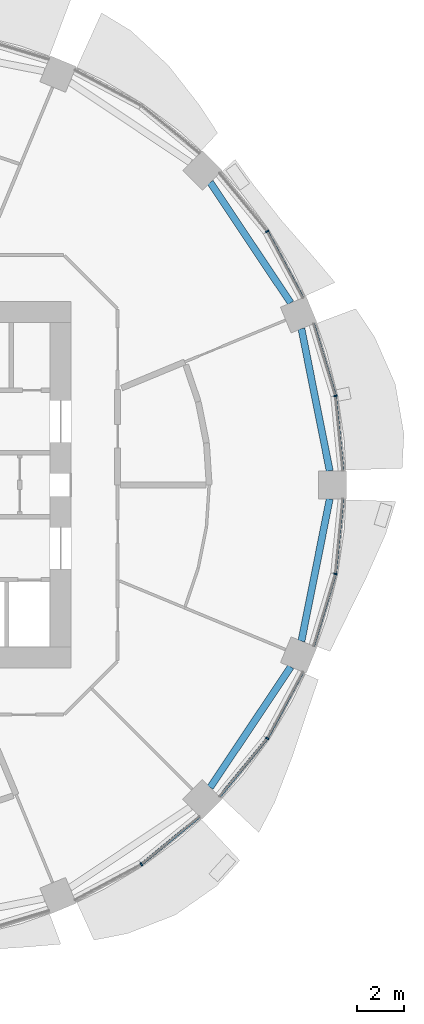
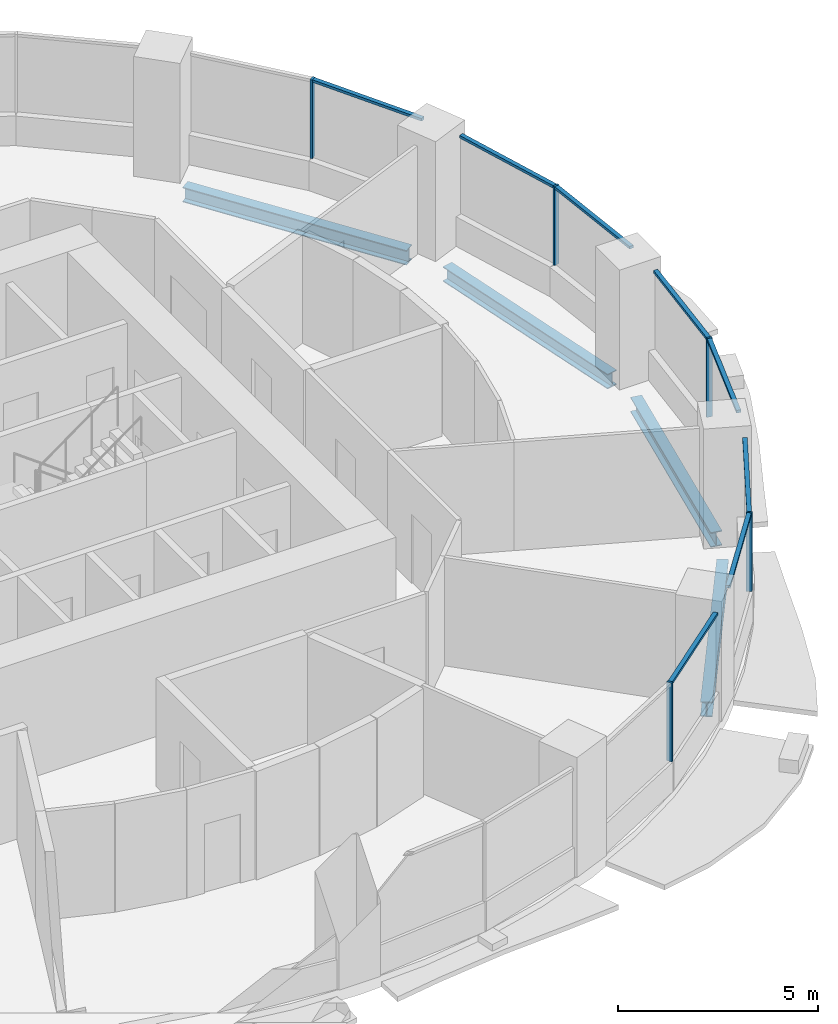
# One storey, part 5 of 15: 13 members, 4 beams, 5 elements without a shape of their own.
"""IFC4 building model written with IfcOpenShell, lengths in metres."""

from ifc_helpers import new_model, si_unit, direction, frame, origin, origin_2d, place, context, subcontext, project, spatial, rectangle, i_section, extrude, material, material_profile, profile_set, type_object, element, aggregate, save


model = new_model("IFC4")

# Units and contexts
model_context = context("Model", 3, precision=1e-05, world=origin(), true_north=direction((0.0, 1.0)))
body_context = subcontext(model_context, "Body", "Model", "MODEL_VIEW")
ifc_project = project(units=[si_unit("LENGTHUNIT", "METRE"), si_unit("AREAUNIT", "SQUARE_METRE"), si_unit("VOLUMEUNIT", "CUBIC_METRE"), si_unit("PLANEANGLEUNIT", "RADIAN"), si_unit("MASSUNIT", "GRAM", prefix="KILO")], contexts=[model_context])

# Site, building, storey
site_placement = place(None, origin())
site = spatial("IfcSite", under=ifc_project, at=site_placement, CompositionType="ELEMENT")
building_placement = place(site_placement, origin())
building = spatial("IfcBuilding", under=site, at=building_placement, Name="Polderwave Tower", CompositionType="ELEMENT")
storey_placement = place(building_placement, frame((0.0, 0.0, 37.14990234375)))
storey = spatial("IfcBuildingStorey", under=building, at=storey_placement, Name="L09", CompositionType="ELEMENT", Elevation=37.14990234375)

# Curtain wall, member
ifc_material_1 = material(Name="Aluminium 6063-T6 and glass", Category="aluminium")
curtain_wall_type = type_object("IfcCurtainWallType", Name="Growing floor ribbon glazing wall", PredefinedType="NOTDEFINED", material=ifc_material_1)
curtain_wall_1_placement = place(storey_placement, origin())
curtain_wall_1 = element("IfcCurtainWall", 1, at=curtain_wall_1_placement, inside=storey, type_object=curtain_wall_type, Name="CW2 L09 00", PredefinedType="NOTDEFINED")
ifc_material_2 = material(Name="Aluminium 6063-T6", Category="aluminium")
ifc_material_profile_1 = material_profile(ifc_material_2, rectangle(XDim=0.14990234375, YDim=0.06005859375, at=origin_2d()), Name="AL 60x150")
ifc_profile_set_1 = profile_set([ifc_material_profile_1], Name="Aluminium 6063-T6")
member_type_1 = type_object("IfcMemberType", Name="Growing floor ribbon glazing mullion 60x150", PredefinedType="MULLION", material=ifc_profile_set_1)
member_1_placement = place(storey_placement, frame((19.23291015625, 3.825927734375, 0.900146484375), z_axis=(0.0, 0.0, 1.0), x_axis=(-0.980767911179, -0.195177622698, 0.0)))
member_1 = element("IfcMember", 2, at=member_1_placement, type_object=member_type_1, Name="CW2 mullion 1", PredefinedType="MULLION", context=body_context, shape_type="SweptSolid", body=[
    extrude(rectangle(XDim=0.14990234375, YDim=0.06005859375, at=origin_2d()), origin(), (0.0, 0.0, 1.0), 2.39990234375),
])

curtain_wall_2_placement = place(storey_placement, origin())
curtain_wall_2 = element("IfcCurtainWall", 3, at=curtain_wall_2_placement, inside=storey, type_object=curtain_wall_type, Name="CW2 L09 01", PredefinedType="NOTDEFINED")
member_2_placement = place(storey_placement, frame((16.304931640625, 10.89501953125, 0.900146484375), z_axis=(0.0, 0.0, 1.0), x_axis=(-0.831468642648, -0.555571684207, 0.0)))
member_2 = element("IfcMember", 4, at=member_2_placement, type_object=member_type_1, Name="CW2 mullion 1", PredefinedType="MULLION", context=body_context, shape_type="SweptSolid", body=[
    extrude(rectangle(XDim=0.14990234375, YDim=0.06005859375, at=origin_2d()), origin(), (0.0, 0.0, 1.0), 2.39990234375),
])

curtain_wall_3_placement = place(storey_placement, origin())
curtain_wall_3 = element("IfcCurtainWall", 5, at=curtain_wall_3_placement, inside=storey, type_object=curtain_wall_type, Name="CW2 L09 13", PredefinedType="NOTDEFINED")
member_3_placement = place(storey_placement, frame((10.89501953125, -16.304931640625, 0.900146484375), z_axis=(0.0, 0.0, 1.0), x_axis=(-0.555571684207, 0.831468642648, 0.0)))
member_3 = element("IfcMember", 6, at=member_3_placement, type_object=member_type_1, Name="CW2 mullion 1", PredefinedType="MULLION", context=body_context, shape_type="SweptSolid", body=[
    extrude(rectangle(XDim=0.14990234375, YDim=0.06005859375, at=origin_2d()), origin(), (0.0, 0.0, 1.0), 2.39990234375),
])

curtain_wall_4_placement = place(storey_placement, origin())
curtain_wall_4 = element("IfcCurtainWall", 7, at=curtain_wall_4_placement, inside=storey, type_object=curtain_wall_type, Name="CW2 L09 14", PredefinedType="NOTDEFINED")
member_4_placement = place(storey_placement, frame((16.304931640625, -10.89501953125, 0.900146484375), z_axis=(0.0, 0.0, 1.0), x_axis=(-0.831468642648, 0.555571684207, 0.0)))
member_4 = element("IfcMember", 8, at=member_4_placement, type_object=member_type_1, Name="CW2 mullion 1", PredefinedType="MULLION", context=body_context, shape_type="SweptSolid", body=[
    extrude(rectangle(XDim=0.14990234375, YDim=0.06005859375, at=origin_2d()), origin(), (0.0, 0.0, 1.0), 2.39990234375),
])

curtain_wall_5_placement = place(storey_placement, origin())
curtain_wall_5 = element("IfcCurtainWall", 9, at=curtain_wall_5_placement, inside=storey, type_object=curtain_wall_type, Name="CW2 L09 15", PredefinedType="NOTDEFINED")
member_5_placement = place(storey_placement, frame((19.23291015625, -3.825927734375, 0.900146484375), z_axis=(0.0, 0.0, 1.0), x_axis=(-0.980767911179, 0.195177622698, 0.0)))
member_5 = element("IfcMember", 10, at=member_5_placement, type_object=member_type_1, Name="CW2 mullion 1", PredefinedType="MULLION", context=body_context, shape_type="SweptSolid", body=[
    extrude(rectangle(XDim=0.14990234375, YDim=0.06005859375, at=origin_2d()), origin(), (0.0, 0.0, 1.0), 2.39990234375),
])

# Member
ifc_material_profile_2 = material_profile(ifc_material_2, rectangle(XDim=0.1201171875, YDim=0.080078125, at=origin_2d()), Name="AL 80x120")
ifc_profile_set_2 = profile_set([ifc_material_profile_2], Name="Aluminium 6063-T6")
member_type_2 = type_object("IfcMemberType", Name="Growing floor ribbon glazing transom 80x120", PredefinedType="USERDEFINED", material=ifc_profile_set_2)
member_6_placement = place(storey_placement, frame((19.551025390625, 0.60009765625, 3.260009765625), z_axis=(-0.098141294442, 0.99517249074, 0.0), x_axis=(-0.99517249074, -0.098141294442, 0.0)))
member_6 = element("IfcMember", 11, at=member_6_placement, type_object=member_type_2, Name="CW2 transom 1", ObjectType="TRANSOM", PredefinedType="USERDEFINED", context=body_context, shape_type="SweptSolid", body=[
    extrude(rectangle(XDim=0.1201171875, YDim=0.080078125, at=origin_2d()), origin(), (0.0, 0.0, 1.0), 3.211669921875),
])

member_7_placement = place(storey_placement, frame((19.224365234375, 3.854736328125, 3.260009765625), z_axis=(-0.290402031143, 0.956904728961, 0.0), x_axis=(-0.956904728961, -0.290402031143, 0.0)))
member_7 = element("IfcMember", 12, at=member_7_placement, type_object=member_type_2, Name="CW2 transom 2", ObjectType="TRANSOM", PredefinedType="USERDEFINED", context=body_context, shape_type="SweptSolid", body=[
    extrude(rectangle(XDim=0.1201171875, YDim=0.080078125, at=origin_2d()), origin(), (0.0, 0.0, 1.0), 3.210693359375),
])

aggregate(curtain_wall_1, [member_1, member_6, member_7])

member_8_placement = place(storey_placement, frame((17.8330078125, 8.035888671875, 3.260009765625), z_axis=(-0.471373193578, 0.881933848072, 0.0), x_axis=(-0.881933848072, -0.471373193578, 0.0)))
member_8 = element("IfcMember", 13, at=member_8_placement, type_object=member_type_2, Name="CW2 transom 1", ObjectType="TRANSOM", PredefinedType="USERDEFINED", context=body_context, shape_type="SweptSolid", body=[
    extrude(rectangle(XDim=0.1201171875, YDim=0.080078125, at=origin_2d()), origin(), (0.0, 0.0, 1.0), 3.211669921875),
])

aggregate(curtain_wall_2, [member_2, member_8])

member_9_placement = place(storey_placement, frame((10.918212890625, -16.285888671875, 3.260009765625), z_axis=(0.772980616228, 0.634429639074, 0.0), x_axis=(-0.634429639074, 0.772980616228, 0.0)))
member_9 = element("IfcMember", 14, at=member_9_placement, type_object=member_type_2, Name="CW2 transom 2", ObjectType="TRANSOM", PredefinedType="USERDEFINED", context=body_context, shape_type="SweptSolid", body=[
    extrude(rectangle(XDim=0.1201171875, YDim=0.080078125, at=origin_2d()), origin(), (0.0, 0.0, 1.0), 3.21044921875),
])

aggregate(curtain_wall_3, [member_3, member_9])

member_10_placement = place(storey_placement, frame((14.2490234375, -13.39990234375, 3.260009765625), z_axis=(0.634429639074, 0.772980616228, 0.0), x_axis=(-0.772980616228, 0.634429639074, 0.0)))
member_10 = element("IfcMember", 15, at=member_10_placement, type_object=member_type_2, Name="CW2 transom 1", ObjectType="TRANSOM", PredefinedType="USERDEFINED", context=body_context, shape_type="SweptSolid", body=[
    extrude(rectangle(XDim=0.1201171875, YDim=0.080078125, at=origin_2d()), origin(), (0.0, 0.0, 1.0), 3.21044921875),
])

member_11_placement = place(storey_placement, frame((16.319091796875, -10.868408203125, 3.260009765625), z_axis=(0.471373193578, 0.881933848072, 0.0), x_axis=(-0.881933848072, 0.471373193578, 0.0)))
member_11 = element("IfcMember", 16, at=member_11_placement, type_object=member_type_2, Name="CW2 transom 2", ObjectType="TRANSOM", PredefinedType="USERDEFINED", context=body_context, shape_type="SweptSolid", body=[
    extrude(rectangle(XDim=0.1201171875, YDim=0.080078125, at=origin_2d()), origin(), (0.0, 0.0, 1.0), 3.211669921875),
])

aggregate(curtain_wall_4, [member_4, member_10, member_11])

member_12_placement = place(storey_placement, frame((18.2919921875, -6.927001953125, 3.260009765625), z_axis=(0.290402031143, 0.956904728961, 0.0), x_axis=(-0.956904728961, 0.290402031143, 0.0)))
member_12 = element("IfcMember", 17, at=member_12_placement, type_object=member_type_2, Name="CW2 transom 1", ObjectType="TRANSOM", PredefinedType="USERDEFINED", context=body_context, shape_type="SweptSolid", body=[
    extrude(rectangle(XDim=0.1201171875, YDim=0.080078125, at=origin_2d()), origin(), (0.0, 0.0, 1.0), 3.210693359375),
])

member_13_placement = place(storey_placement, frame((19.23583984375, -3.796142578125, 3.260009765625), z_axis=(0.098141294442, 0.99517249074, 0.0), x_axis=(-0.99517249074, 0.098141294442, 0.0)))
member_13 = element("IfcMember", 18, at=member_13_placement, type_object=member_type_2, Name="CW2 transom 2", ObjectType="TRANSOM", PredefinedType="USERDEFINED", context=body_context, shape_type="SweptSolid", body=[
    extrude(rectangle(XDim=0.1201171875, YDim=0.080078125, at=origin_2d()), origin(), (0.0, 0.0, 1.0), 3.211669921875),
])

aggregate(curtain_wall_5, [member_5, member_12, member_13])

# Beams
ifc_material_3 = material(Name="Steel S355", Category="steel")
ifc_material_profile_3 = material_profile(ifc_material_3, i_section(OverallWidth=0.300048828125, OverallDepth=0.449951171875, WebThickness=0.013916015625, FlangeThickness=0.02587890625, at=origin_2d()), Name="HE 450 B")
ifc_profile_set_3 = profile_set([ifc_material_profile_3], Name="Steel S355")
beam_type = type_object("IfcBeamType", Name="RING BEAM HE 450 B", PredefinedType="BEAM", material=ifc_profile_set_3)
beam_1_placement = place(storey_placement, frame((18.99072265625, 0.60009765625, -0.574951171875), z_axis=(-0.195106645934, 0.980782033233, 0.0), x_axis=(-0.980782033233, -0.195106645934, 0.0)))
element("IfcBeam", 19, at=beam_1_placement, inside=storey, type_object=beam_type, Name="ST-RB-L09-00", PredefinedType="BEAM", context=body_context, shape_type="SweptSolid", body=[
    extrude(i_section(OverallWidth=0.300048828125, OverallDepth=0.449951171875, WebThickness=0.013916015625, FlangeThickness=0.02587890625, at=origin_2d()), origin(), (0.0, 0.0, 1.0), 6.23291015625),
])
for number, where, z_axis, x_axis, name in (
    (20, (17.3154296875, 7.82177734375, -0.574951171875), (-0.555558644, 0.831477355721, 0.0), (-0.831477355721, -0.555558644, 0.0), "ST-RB-L09-01"),
    (21, (13.852783203125, -13.004150390625, -0.574951171875), (0.555558644, 0.831477355721, 0.0), (-0.831477355721, 0.555558644, 0.0), "ST-RB-L09-14"),
):
    element("IfcBeam", number, at=place(storey_placement, frame(where, z_axis=z_axis, x_axis=x_axis)), inside=storey, type_object=beam_type, Name=name, PredefinedType="BEAM", context=body_context, shape_type="SweptSolid", body=[
        extrude(i_section(OverallWidth=0.300048828125, OverallDepth=0.449951171875, WebThickness=0.013916015625, FlangeThickness=0.02587890625, at=origin_2d()), origin(), (0.0, 0.0, 1.0), 6.232666015625),
    ])
beam_2_placement = place(storey_placement, frame((17.774658203125, -6.713134765625, -0.574951171875), z_axis=(0.195106645934, 0.980782033233, 0.0), x_axis=(-0.980782033233, 0.195106645934, 0.0)))
element("IfcBeam", 22, at=beam_2_placement, inside=storey, type_object=beam_type, Name="ST-RB-L09-15", PredefinedType="BEAM", context=body_context, shape_type="SweptSolid", body=[
    extrude(i_section(OverallWidth=0.300048828125, OverallDepth=0.449951171875, WebThickness=0.013916015625, FlangeThickness=0.02587890625, at=origin_2d()), origin(), (0.0, 0.0, 1.0), 6.23291015625),
])

save(model, "model.ifc")
